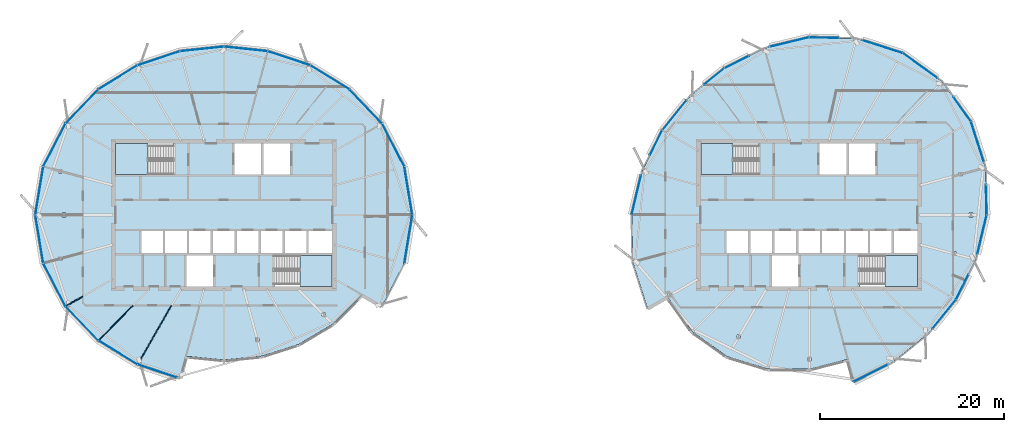
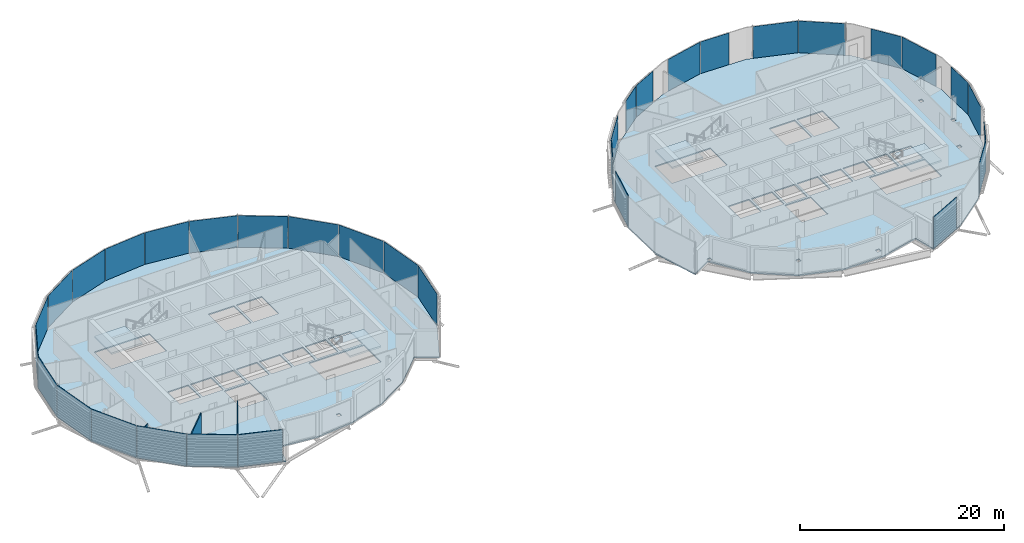
# One storey, part 16 of 33: 34 plates, 6 slabs, 3 walls, 6 elements without a shape of their own.
"""IFC4 building model written with IfcOpenShell, lengths in metres."""

from ifc_helpers import new_model, si_unit, direction, frame, frame_2d, origin, origin_2d, place, context, subcontext, project, spatial, polyline, rectangle, outline, extrude, material, layer, layer_set, type_object, element, aggregate, save


model = new_model("IFC4")

# Units and contexts
model_context = context("Model", 3, precision=1e-05, world=origin(), true_north=direction((0.0, 1.0)))
body_context = subcontext(model_context, "Body", "Model", "MODEL_VIEW")
ifc_project = project(units=[si_unit("LENGTHUNIT", "METRE"), si_unit("AREAUNIT", "SQUARE_METRE"), si_unit("VOLUMEUNIT", "CUBIC_METRE"), si_unit("PLANEANGLEUNIT", "RADIAN"), si_unit("MASSUNIT", "GRAM", prefix="KILO")], contexts=[model_context])

# Site, building, storey
site_placement = place(None, origin())
site = spatial("IfcSite", under=ifc_project, at=site_placement, CompositionType="ELEMENT")
building_placement = place(site_placement, origin())
building = spatial("IfcBuilding", under=site, at=building_placement, Name="Rimbun Link Towers", CompositionType="ELEMENT")
storey_placement = place(building_placement, frame((0.0, 0.0, 240.89990234375)))
storey = spatial("IfcBuildingStorey", under=building, at=storey_placement, Name="L59", CompositionType="ELEMENT", Elevation=240.89990234375)

# Slabs
ifc_material_1 = material(Name="Concrete C35/45", Category="concrete")
ifc_layer_1 = layer(ifc_material_1, 0.139892578125)
ifc_layer_set_1 = layer_set([ifc_layer_1], Name="COMPOSITE FLOOR 140")
slab_type_1 = type_object("IfcSlabType", Name="COMPOSITE FLOOR 140", PredefinedType="FLOOR", material=ifc_layer_set_1)
slab_1_placement = place(storey_placement, frame((0.0, 0.0, -0.139892578125)))
element("IfcSlab", 1, at=slab_1_placement, inside=storey, type_object=slab_type_1, Name="Floor slab T1 L59", PredefinedType="FLOOR", context=body_context, shape_type="SweptSolid", body=[
    extrude(outline(polyline([(-41.108642578125, -16.209716796875), (-45.353515625, -13.603515625), (-48.901611328125, -9.902587890625), (-51.313232421875, -5.241943359375), (-52.17529296875, 0.0), (-51.313232421875, 5.241943359375), (-48.901611328125, 9.902587890625), (-45.353515625, 13.603515625), (-41.108642578125, 16.209716796875), (-36.50244140625, 17.736328125), (-31.75, 18.23681640625), (-26.99755859375, 17.736328125), (-22.391357421875, 16.209716796875), (-18.146484375, 13.603515625), (-14.598388671875, 9.902587890625), (-12.186767578125, 5.241943359375), (-11.32470703125, 0.0), (-12.186767578125, -5.241943359375), (-14.598388671875, -9.902587890625), (-16.76318359375, -8.652587890625), (-19.914306640625, -11.835693359375), (-23.641357421875, -14.044677734375), (-27.64453125, -15.321533203125), (-31.75, -15.73681640625), (-35.85546875, -15.321533203125), (-36.50244140625, -17.736328125), (-41.108642578125, -16.209716796875)]), holes=[polyline([(-32.89990234375, -7.75), (-32.89990234375, -4.39990234375), (-35.800048828125, -4.39990234375), (-35.800048828125, -7.75), (-32.89990234375, -7.75)]), polyline([(-49.2958984375, -4.95166015625), (-49.2958984375, -4.55810546875), (-49.69482421875, -4.55810546875), (-49.69482421875, -4.95166015625), (-49.2958984375, -4.95166015625)]), polyline([(-38.361083984375, -4.14990234375), (-38.361083984375, -1.75), (-40.70556640625, -1.75), (-40.70556640625, -4.14990234375), (-38.361083984375, -4.14990234375)]), polyline([(-35.7666015625, -4.14990234375), (-35.7666015625, -1.75), (-38.111083984375, -1.75), (-38.111083984375, -4.14990234375), (-35.7666015625, -4.14990234375)]), polyline([(-33.172119140625, -4.14990234375), (-33.172119140625, -1.75), (-35.5166015625, -1.75), (-35.5166015625, -4.14990234375), (-33.172119140625, -4.14990234375)]), polyline([(-30.577880859375, -4.14990234375), (-30.577880859375, -1.75), (-32.922119140625, -1.75), (-32.922119140625, -4.14990234375), (-30.577880859375, -4.14990234375)]), polyline([(-48.897216796875, -0.19677734375), (-48.897216796875, 0.19677734375), (-49.296142578125, 0.19677734375), (-49.296142578125, -0.19677734375), (-48.897216796875, -0.19677734375)]), polyline([(-49.69482421875, 4.55810546875), (-49.2958984375, 4.55810546875), (-49.2958984375, 4.95166015625), (-49.69482421875, 4.95166015625), (-49.69482421875, 4.55810546875)]), polyline([(-43.5, 4.39990234375), (-37.260009765625, 4.39990234375), (-37.260009765625, 7.75), (-43.5, 7.75), (-43.5, 4.39990234375)]), polyline([(-27.9228515625, -13.735107421875), (-27.9228515625, -13.34130859375), (-28.322021484375, -13.34130859375), (-28.322021484375, -13.735107421875), (-27.9228515625, -13.735107421875)]), polyline([(-20.705810546875, -11.04150390625), (-20.705810546875, -10.647705078125), (-21.10498046875, -10.647705078125), (-21.10498046875, -11.04150390625), (-20.705810546875, -11.04150390625)]), polyline([(-20.0, -7.75), (-20.0, -4.39990234375), (-26.239990234375, -4.39990234375), (-26.239990234375, -7.75), (-20.0, -7.75)]), polyline([(-27.9833984375, -4.14990234375), (-27.9833984375, -1.75), (-30.327880859375, -1.75), (-30.327880859375, -4.14990234375), (-27.9833984375, -4.14990234375)]), polyline([(-25.388916015625, -4.14990234375), (-25.388916015625, -1.75), (-27.7333984375, -1.75), (-27.7333984375, -4.14990234375), (-25.388916015625, -4.14990234375)]), polyline([(-22.79443359375, -4.14990234375), (-22.79443359375, -1.75), (-25.138916015625, -1.75), (-25.138916015625, -4.14990234375), (-22.79443359375, -4.14990234375)]), polyline([(-20.0, -4.14990234375), (-20.0, -1.75), (-22.54443359375, -1.75), (-22.54443359375, -4.14990234375), (-20.0, -4.14990234375)]), polyline([(-30.60009765625, 4.39990234375), (-27.699951171875, 4.39990234375), (-27.699951171875, 7.75), (-30.60009765625, 7.75), (-30.60009765625, 4.39990234375)]), polyline([(-27.449951171875, 4.39990234375), (-24.550048828125, 4.39990234375), (-24.550048828125, 7.75), (-27.449951171875, 7.75), (-27.449951171875, 4.39990234375)])]), origin(), (0.0, 0.0, 1.0), 0.139892578125),
])
slab_2_placement = place(storey_placement, frame((0.0, 0.0, -0.139892578125)))
element("IfcSlab", 2, at=slab_2_placement, inside=storey, type_object=slab_type_1, Name="Floor slab T2 L59", PredefinedType="FLOOR", context=body_context, shape_type="SweptSolid", body=[
    extrude(outline(polyline([(12.61962890625, -5.1259765625), (12.51171875, 0.0), (13.67041015625, 4.844482421875), (15.84814453125, 9.180908203125), (18.8544921875, 12.8955078125), (22.569091796875, 15.90185546875), (26.905517578125, 18.07958984375), (31.75, 19.23828125), (36.8759765625, 19.13037109375), (41.876708984375, 17.539794921875), (46.19287109375, 14.44287109375), (49.289794921875, 10.126708984375), (50.88037109375, 5.1259765625), (50.98828125, 0.0), (49.82958984375, -4.844482421875), (47.65185546875, -9.180908203125), (44.6455078125, -12.8955078125), (40.930908203125, -15.90185546875), (36.594482421875, -18.07958984375), (35.947509765625, -15.664794921875), (31.75, -16.73828125), (27.27099609375, -16.71533203125), (22.873291015625, -15.375), (19.074951171875, -12.675048828125), (16.375, -8.876708984375), (14.210205078125, -10.126708984375), (12.61962890625, -5.1259765625)]), holes=[polyline([(31.949462890625, -15.85009765625), (31.949462890625, -15.456298828125), (31.550537109375, -15.456298828125), (31.550537109375, -15.85009765625), (31.949462890625, -15.85009765625)]), polyline([(24.31298828125, -13.423828125), (24.31298828125, -13.0302734375), (23.913818359375, -13.0302734375), (23.913818359375, -13.423828125), (24.31298828125, -13.423828125)]), polyline([(16.84619140625, -8.916748046875), (16.84619140625, -8.523193359375), (16.447021484375, -8.523193359375), (16.447021484375, -8.916748046875), (16.84619140625, -8.916748046875)]), polyline([(30.60009765625, -7.75), (30.60009765625, -4.39990234375), (27.699951171875, -4.39990234375), (27.699951171875, -7.75), (30.60009765625, -7.75)]), polyline([(25.138916015625, -4.14990234375), (25.138916015625, -1.75), (22.79443359375, -1.75), (22.79443359375, -4.14990234375), (25.138916015625, -4.14990234375)]), polyline([(27.7333984375, -4.14990234375), (27.7333984375, -1.75), (25.388916015625, -1.75), (25.388916015625, -4.14990234375), (27.7333984375, -4.14990234375)]), polyline([(30.327880859375, -4.14990234375), (30.327880859375, -1.75), (27.9833984375, -1.75), (27.9833984375, -4.14990234375), (30.327880859375, -4.14990234375)]), polyline([(30.577880859375, -4.14990234375), (32.922119140625, -4.14990234375), (32.922119140625, -1.75), (30.577880859375, -1.75), (30.577880859375, -4.14990234375)]), polyline([(33.172119140625, -4.14990234375), (35.5166015625, -4.14990234375), (35.5166015625, -1.75), (33.172119140625, -1.75), (33.172119140625, -4.14990234375)]), polyline([(26.239990234375, 4.39990234375), (26.239990234375, 7.75), (20.0, 7.75), (20.0, 4.39990234375), (26.239990234375, 4.39990234375)]), polyline([(43.5, -7.75), (43.5, -4.39990234375), (37.260009765625, -4.39990234375), (37.260009765625, -7.75), (43.5, -7.75)]), polyline([(47.71923828125, -4.42236328125), (47.71923828125, -4.02880859375), (47.3203125, -4.02880859375), (47.3203125, -4.42236328125), (47.71923828125, -4.42236328125)]), polyline([(35.7666015625, -4.14990234375), (38.111083984375, -4.14990234375), (38.111083984375, -1.75), (35.7666015625, -1.75), (35.7666015625, -4.14990234375)]), polyline([(38.361083984375, -4.14990234375), (40.70556640625, -4.14990234375), (40.70556640625, -1.75), (38.361083984375, -1.75), (38.361083984375, -4.14990234375)]), polyline([(43.5, -4.14990234375), (43.5, -1.75), (40.95556640625, -1.75), (40.95556640625, -4.14990234375), (43.5, -4.14990234375)]), polyline([(49.510498046875, -0.19677734375), (49.510498046875, 0.19677734375), (49.111328125, 0.19677734375), (49.111328125, -0.19677734375), (49.510498046875, -0.19677734375)]), polyline([(48.410888671875, 4.214111328125), (48.410888671875, 4.607666015625), (48.011962890625, 4.607666015625), (48.011962890625, 4.214111328125), (48.410888671875, 4.214111328125)]), polyline([(32.89990234375, 4.39990234375), (35.800048828125, 4.39990234375), (35.800048828125, 7.75), (32.89990234375, 7.75), (32.89990234375, 4.39990234375)]), polyline([(36.050048828125, 4.39990234375), (38.949951171875, 4.39990234375), (38.949951171875, 7.75), (36.050048828125, 7.75), (36.050048828125, 4.39990234375)])]), origin(), (0.0, 0.0, 1.0), 0.139892578125),
])

# Curtain wall, plates
ifc_material_2 = material(Name="Aluminium 6063-T6 and low-iron glass", Category="aluminium")
curtain_wall_type = type_object("IfcCurtainWallType", Name="CW1-Z4 unitised vision wall (zone 4)", PredefinedType="NOTDEFINED", material=ifc_material_2)
curtain_wall_1_placement = place(storey_placement, origin())
curtain_wall_1 = element("IfcCurtainWall", 3, at=curtain_wall_1_placement, inside=storey, type_object=curtain_wall_type, Name="CW1 L59 T1", PredefinedType="NOTDEFINED")
ifc_material_3 = material(Name="Low-iron glass, laminated low-e unit", Category="glass")
ifc_layer_2 = layer(ifc_material_3, 0.028076171875)
ifc_layer_set_2 = layer_set([ifc_layer_2], Name="CW1 panel Low-iron glass 28")
plate_type = type_object("IfcPlateType", Name="CW1 panel Low-iron glass 28", PredefinedType="CURTAIN_PANEL", material=ifc_layer_set_2)
plate_1_placement = place(storey_placement, frame((-11.741943359375, 2.623291015625, 0.0), z_axis=(0.0, 0.0, 1.0), x_axis=(0.162261836936, -0.986747736898, 0.0)))
plate_1 = element("IfcPlate", 4, at=plate_1_placement, type_object=plate_type, Name="CW1 panel", PredefinedType="CURTAIN_PANEL", context=body_context, shape_type="SweptSolid", body=[
    extrude(rectangle(XDim=5.2724609375, YDim=0.028076171875, at=origin_2d()), origin(), (0.0, 0.0, 1.0), 3.800048828125),
])
plate_2_placement = place(storey_placement, frame((-13.380126953125, 7.57861328125, 0.0), z_axis=(0.0, 0.0, 1.0), x_axis=(0.459549928391, -0.888151937067, 0.0)))
plate_2 = element("IfcPlate", 5, at=plate_2_placement, type_object=plate_type, Name="CW1 panel", PredefinedType="CURTAIN_PANEL", context=body_context, shape_type="SweptSolid", body=[
    extrude(rectangle(XDim=5.20751953125, YDim=0.028076171875, at=origin_2d()), origin(), (0.0, 0.0, 1.0), 3.800048828125),
])
plate_3_placement = place(storey_placement, frame((-16.3623046875, 11.7626953125, 0.0), z_axis=(0.0, 0.0, 1.0), x_axis=(0.692058277025, -0.721841631662, 0.0)))
plate_3 = element("IfcPlate", 6, at=plate_3_placement, type_object=plate_type, Name="CW1 panel", PredefinedType="CURTAIN_PANEL", context=body_context, shape_type="SweptSolid", body=[
    extrude(rectangle(XDim=5.0869140625, YDim=0.028076171875, at=origin_2d()), origin(), (0.0, 0.0, 1.0), 3.800048828125),
])
plate_4_placement = place(storey_placement, frame((-20.261474609375, 14.918701171875, 0.0), z_axis=(0.0, 0.0, 1.0), x_axis=(0.852185203214, -0.523240269306, 0.0)))
plate_4 = element("IfcPlate", 7, at=plate_4_placement, type_object=plate_type, Name="CW1 panel", PredefinedType="CURTAIN_PANEL", context=body_context, shape_type="SweptSolid", body=[
    extrude(rectangle(XDim=4.941162109375, YDim=0.028076171875, at=origin_2d()), origin(), (0.0, 0.0, 1.0), 3.800048828125),
])
plate_5_placement = place(storey_placement, frame((-24.68994140625, 16.986328125, 0.0), z_axis=(0.0, 0.0, 1.0), x_axis=(0.949234126945, -0.314570456722, 0.0)))
plate_5 = element("IfcPlate", 8, at=plate_5_placement, type_object=plate_type, Name="CW1 panel", PredefinedType="CURTAIN_PANEL", context=body_context, shape_type="SweptSolid", body=[
    extrude(rectangle(XDim=4.812744140625, YDim=0.028076171875, at=origin_2d()), origin(), (0.0, 0.0, 1.0), 3.800048828125),
])
plate_6_placement = place(storey_placement, frame((-29.372314453125, 18.00048828125, 0.0), z_axis=(0.0, 0.0, 1.0), x_axis=(0.994500062373, -0.104735982072, 0.0)))
plate_6 = element("IfcPlate", 9, at=plate_6_placement, type_object=plate_type, Name="CW1 panel", PredefinedType="CURTAIN_PANEL", context=body_context, shape_type="SweptSolid", body=[
    extrude(rectangle(XDim=4.73876953125, YDim=0.028076171875, at=origin_2d()), origin(), (0.0, 0.0, 1.0), 3.800048828125),
])
plate_7_placement = place(storey_placement, frame((-34.127685546875, 18.00048828125, 0.0), z_axis=(0.0, 0.0, 1.0), x_axis=(0.994500062373, 0.104735982072, 0.0)))
plate_7 = element("IfcPlate", 10, at=plate_7_placement, type_object=plate_type, Name="CW1 panel", PredefinedType="CURTAIN_PANEL", context=body_context, shape_type="SweptSolid", body=[
    extrude(rectangle(XDim=4.73876953125, YDim=0.028076171875, at=origin_2d()), origin(), (0.0, 0.0, 1.0), 3.800048828125),
])
plate_8_placement = place(storey_placement, frame((-38.81005859375, 16.986328125, 0.0), z_axis=(0.0, 0.0, 1.0), x_axis=(0.949234126945, 0.314570456722, 0.0)))
plate_8 = element("IfcPlate", 11, at=plate_8_placement, type_object=plate_type, Name="CW1 panel", PredefinedType="CURTAIN_PANEL", context=body_context, shape_type="SweptSolid", body=[
    extrude(rectangle(XDim=4.812744140625, YDim=0.028076171875, at=origin_2d()), origin(), (0.0, 0.0, 1.0), 3.800048828125),
])
plate_9_placement = place(storey_placement, frame((-43.238525390625, 14.918701171875, 0.0), z_axis=(0.0, 0.0, 1.0), x_axis=(0.852185203214, 0.523240269306, 0.0)))
plate_9 = element("IfcPlate", 12, at=plate_9_placement, type_object=plate_type, Name="CW1 panel", PredefinedType="CURTAIN_PANEL", context=body_context, shape_type="SweptSolid", body=[
    extrude(rectangle(XDim=4.941162109375, YDim=0.028076171875, at=origin_2d()), origin(), (0.0, 0.0, 1.0), 3.800048828125),
])
plate_10_placement = place(storey_placement, frame((-47.1376953125, 11.7626953125, 0.0), z_axis=(0.0, 0.0, 1.0), x_axis=(0.692058277025, 0.721841631662, 0.0)))
plate_10 = element("IfcPlate", 13, at=plate_10_placement, type_object=plate_type, Name="CW1 panel", PredefinedType="CURTAIN_PANEL", context=body_context, shape_type="SweptSolid", body=[
    extrude(rectangle(XDim=5.0869140625, YDim=0.028076171875, at=origin_2d()), origin(), (0.0, 0.0, 1.0), 3.800048828125),
])
plate_11_placement = place(storey_placement, frame((-50.119873046875, 7.57861328125, 0.0), z_axis=(0.0, 0.0, 1.0), x_axis=(0.459549928391, 0.888151937067, 0.0)))
plate_11 = element("IfcPlate", 14, at=plate_11_placement, type_object=plate_type, Name="CW1 panel", PredefinedType="CURTAIN_PANEL", context=body_context, shape_type="SweptSolid", body=[
    extrude(rectangle(XDim=5.20751953125, YDim=0.028076171875, at=origin_2d()), origin(), (0.0, 0.0, 1.0), 3.800048828125),
])
plate_12_placement = place(storey_placement, frame((-51.758056640625, 2.623291015625, 0.0), z_axis=(0.0, 0.0, 1.0), x_axis=(0.162261836936, 0.986747736898, 0.0)))
plate_12 = element("IfcPlate", 15, at=plate_12_placement, type_object=plate_type, Name="CW1 panel", PredefinedType="CURTAIN_PANEL", context=body_context, shape_type="SweptSolid", body=[
    extrude(rectangle(XDim=5.2724609375, YDim=0.028076171875, at=origin_2d()), origin(), (0.0, 0.0, 1.0), 3.800048828125),
])
plate_13_placement = place(storey_placement, frame((-51.758056640625, -2.623291015625, 0.0), z_axis=(0.0, 0.0, 1.0), x_axis=(-0.162261836936, 0.986747736898, 0.0)))
plate_13 = element("IfcPlate", 16, at=plate_13_placement, type_object=plate_type, Name="CW1 panel", PredefinedType="CURTAIN_PANEL", context=body_context, shape_type="SweptSolid", body=[
    extrude(rectangle(XDim=5.2724609375, YDim=0.028076171875, at=origin_2d()), origin(), (0.0, 0.0, 1.0), 3.800048828125),
])
plate_14_placement = place(storey_placement, frame((-50.119873046875, -7.57861328125, 0.0), z_axis=(0.0, 0.0, 1.0), x_axis=(-0.459549928391, 0.888151937067, 0.0)))
plate_14 = element("IfcPlate", 17, at=plate_14_placement, type_object=plate_type, Name="CW1 panel", PredefinedType="CURTAIN_PANEL", context=body_context, shape_type="SweptSolid", body=[
    extrude(rectangle(XDim=5.20751953125, YDim=0.028076171875, at=origin_2d()), origin(), (0.0, 0.0, 1.0), 3.800048828125),
])
plate_15_placement = place(storey_placement, frame((-47.1376953125, -11.7626953125, 0.0), z_axis=(0.0, 0.0, 1.0), x_axis=(-0.692058277025, 0.721841631662, 0.0)))
plate_15 = element("IfcPlate", 18, at=plate_15_placement, type_object=plate_type, Name="CW1 panel", PredefinedType="CURTAIN_PANEL", context=body_context, shape_type="SweptSolid", body=[
    extrude(rectangle(XDim=5.0869140625, YDim=0.028076171875, at=origin_2d()), origin(), (0.0, 0.0, 1.0), 3.800048828125),
])
plate_16_placement = place(storey_placement, frame((-43.238525390625, -14.918701171875, 0.0), z_axis=(0.0, 0.0, 1.0), x_axis=(-0.852185203214, 0.523240269306, 0.0)))
plate_16 = element("IfcPlate", 19, at=plate_16_placement, type_object=plate_type, Name="CW1 panel", PredefinedType="CURTAIN_PANEL", context=body_context, shape_type="SweptSolid", body=[
    extrude(rectangle(XDim=4.941162109375, YDim=0.028076171875, at=origin_2d()), origin(), (0.0, 0.0, 1.0), 3.800048828125),
])
plate_17_placement = place(storey_placement, frame((-38.97607421875, -16.931396484375, 0.0), z_axis=(0.0, 0.0, 1.0), x_axis=(-0.949234126945, 0.314570456722, 0.0)))
plate_17 = element("IfcPlate", 20, at=plate_17_placement, type_object=plate_type, Name="CW1 panel", PredefinedType="CURTAIN_PANEL", context=body_context, shape_type="SweptSolid", body=[
    extrude(rectangle(XDim=4.462646484375, YDim=0.028076171875, at=origin_2d()), origin(), (0.0, 0.0, 1.0), 3.800048828125),
])
plate_18_placement = place(storey_placement, frame((-11.741943359375, -2.623291015625, 0.0), z_axis=(0.0, 0.0, 1.0), x_axis=(-0.162261836936, -0.986747736898, 0.0)))
plate_18 = element("IfcPlate", 21, at=plate_18_placement, type_object=plate_type, Name="CW1 panel", PredefinedType="CURTAIN_PANEL", context=body_context, shape_type="SweptSolid", body=[
    extrude(rectangle(XDim=5.2724609375, YDim=0.028076171875, at=origin_2d()), origin(), (0.0, 0.0, 1.0), 3.800048828125),
])
aggregate(curtain_wall_1, [plate_1, plate_2, plate_3, plate_4, plate_5, plate_6, plate_7, plate_8, plate_9, plate_10, plate_11, plate_12, plate_13, plate_14, plate_15, plate_16, plate_17, plate_18])

curtain_wall_2_placement = place(storey_placement, origin())
curtain_wall_2 = element("IfcCurtainWall", 22, at=curtain_wall_2_placement, inside=storey, type_object=curtain_wall_type, Name="CW1 L59 T2", PredefinedType="NOTDEFINED")
plate_19_placement = place(storey_placement, frame((43.77880859375, 16.192138671875, 0.0), z_axis=(0.0, 0.0, 1.0), x_axis=(0.812469826089, -0.583003243297, 0.0)))
plate_19 = element("IfcPlate", 23, at=plate_19_placement, type_object=plate_type, Name="CW1 panel", PredefinedType="CURTAIN_PANEL", context=body_context, shape_type="SweptSolid", body=[
    extrude(rectangle(XDim=4.622314453125, YDim=0.028076171875, at=origin_2d()), origin(), (0.0, 0.0, 1.0), 3.800048828125),
])
plate_20_placement = place(storey_placement, frame((39.690185546875, 18.25, 0.0), z_axis=(0.0, 0.0, 1.0), x_axis=(0.952967816288, -0.303071511559, 0.0)))
plate_20 = element("IfcPlate", 24, at=plate_20_placement, type_object=plate_type, Name="CW1 panel", PredefinedType="CURTAIN_PANEL", context=body_context, shape_type="SweptSolid", body=[
    extrude(rectangle(XDim=4.5576171875, YDim=0.028076171875, at=origin_2d()), origin(), (0.0, 0.0, 1.0), 3.800048828125),
])
plate_21_placement = place(storey_placement, frame((33.363525390625, 19.21826171875, 0.0), z_axis=(0.0, 0.0, 1.0), x_axis=(0.999778112574, -0.021064795684, 0.0)))
plate_21 = element("IfcPlate", 25, at=plate_21_placement, type_object=plate_type, Name="CW1 panel", PredefinedType="CURTAIN_PANEL", context=body_context, shape_type="SweptSolid", body=[
    extrude(rectangle(XDim=3.18701171875, YDim=0.028076171875, at=origin_2d()), origin(), (0.0, 0.0, 1.0), 3.800048828125),
])
plate_22_placement = place(storey_placement, frame((29.6162109375, 18.742431640625, 0.0), z_axis=(0.0, 0.0, 1.0), x_axis=(0.972571783307, 0.23260293703, 0.0)))
plate_22 = element("IfcPlate", 26, at=plate_22_placement, type_object=plate_type, Name="CW1 panel", PredefinedType="CURTAIN_PANEL", context=body_context, shape_type="SweptSolid", body=[
    extrude(rectangle(XDim=4.341064453125, YDim=0.028076171875, at=origin_2d()), origin(), (0.0, 0.0, 1.0), 3.800048828125),
])
plate_23_placement = place(storey_placement, frame((23.904296875, 16.588134765625, 0.0), z_axis=(0.0, 0.0, 1.0), x_axis=(0.893642754219, 0.448779041213, 0.0)))
plate_23 = element("IfcPlate", 27, at=plate_23_placement, type_object=plate_type, Name="CW1 panel", PredefinedType="CURTAIN_PANEL", context=body_context, shape_type="SweptSolid", body=[
    extrude(rectangle(XDim=2.962646484375, YDim=0.028076171875, at=origin_2d()), origin(), (0.0, 0.0, 1.0), 3.800048828125),
])
plate_24_placement = place(storey_placement, frame((21.4609375, 15.02294921875, 0.0), z_axis=(0.0, 0.0, 1.0), x_axis=(0.777285317003, 0.629148262313, 0.0)))
plate_24 = element("IfcPlate", 28, at=plate_24_placement, type_object=plate_type, Name="CW1 panel", PredefinedType="CURTAIN_PANEL", context=body_context, shape_type="SweptSolid", body=[
    extrude(rectangle(XDim=2.78857421875, YDim=0.028076171875, at=origin_2d()), origin(), (0.0, 0.0, 1.0), 3.800048828125),
])
plate_25_placement = place(storey_placement, frame((17.151611328125, 10.813720703125, 0.0), z_axis=(0.0, 0.0, 1.0), x_axis=(0.629148262313, 0.777285317003, 0.0)))
plate_25 = element("IfcPlate", 29, at=plate_25_placement, type_object=plate_type, Name="CW1 panel", PredefinedType="CURTAIN_PANEL", context=body_context, shape_type="SweptSolid", body=[
    extrude(rectangle(XDim=4.138671875, YDim=0.028076171875, at=origin_2d()), origin(), (0.0, 0.0, 1.0), 3.800048828125),
])
plate_26_placement = place(storey_placement, frame((15.150634765625, 7.8232421875, 0.0), z_axis=(0.0, 0.0, 1.0), x_axis=(0.448779041213, 0.893642754219, 0.0)))
plate_26 = element("IfcPlate", 30, at=plate_26_placement, type_object=plate_type, Name="CW1 panel", PredefinedType="CURTAIN_PANEL", context=body_context, shape_type="SweptSolid", body=[
    extrude(rectangle(XDim=3.0126953125, YDim=0.028076171875, at=origin_2d()), origin(), (0.0, 0.0, 1.0), 3.800048828125),
])
plate_27_placement = place(storey_placement, frame((13.013427734375, 2.157958984375, 0.0), z_axis=(0.0, 0.0, 1.0), x_axis=(0.23260293703, 0.972571783307, 0.0)))
plate_27 = element("IfcPlate", 31, at=plate_27_placement, type_object=plate_type, Name="CW1 panel", PredefinedType="CURTAIN_PANEL", context=body_context, shape_type="SweptSolid", body=[
    extrude(rectangle(XDim=4.39111328125, YDim=0.028076171875, at=origin_2d()), origin(), (0.0, 0.0, 1.0), 3.800048828125),
])
plate_28_placement = place(storey_placement, frame((38.433837890625, -17.171630859375, 0.0), z_axis=(0.0, 0.0, 1.0), x_axis=(-0.893642754219, -0.448779041213, 0.0)))
plate_28 = element("IfcPlate", 32, at=plate_28_placement, type_object=plate_type, Name="CW1 panel", PredefinedType="CURTAIN_PANEL", context=body_context, shape_type="SweptSolid", body=[
    extrude(rectangle(XDim=4.062744140625, YDim=0.028076171875, at=origin_2d()), origin(), (0.0, 0.0, 1.0), 3.800048828125),
])
plate_29_placement = place(storey_placement, frame((46.379638671875, -10.77490234375, 0.0), z_axis=(0.0, 0.0, 1.0), x_axis=(-0.629148262313, -0.777285317003, 0.0)))
plate_29 = element("IfcPlate", 33, at=plate_29_placement, type_object=plate_type, Name="CW1 panel", PredefinedType="CURTAIN_PANEL", context=body_context, shape_type="SweptSolid", body=[
    extrude(rectangle(XDim=4.03857421875, YDim=0.028076171875, at=origin_2d()), origin(), (0.0, 0.0, 1.0), 3.800048828125),
])
plate_30_placement = place(storey_placement, frame((48.349365234375, -7.8232421875, 0.0), z_axis=(0.0, 0.0, 1.0), x_axis=(-0.448779041213, -0.893642754219, 0.0)))
plate_30 = element("IfcPlate", 34, at=plate_30_placement, type_object=plate_type, Name="CW1 panel", PredefinedType="CURTAIN_PANEL", context=body_context, shape_type="SweptSolid", body=[
    extrude(rectangle(XDim=3.0126953125, YDim=0.028076171875, at=origin_2d()), origin(), (0.0, 0.0, 1.0), 3.800048828125),
])
plate_31_placement = place(storey_placement, frame((50.498291015625, -2.109375, 0.0), z_axis=(0.0, 0.0, 1.0), x_axis=(-0.23260293703, -0.972571783307, 0.0)))
plate_31 = element("IfcPlate", 35, at=plate_31_placement, type_object=plate_type, Name="CW1 panel", PredefinedType="CURTAIN_PANEL", context=body_context, shape_type="SweptSolid", body=[
    extrude(rectangle(XDim=4.291015625, YDim=0.028076171875, at=origin_2d()), origin(), (0.0, 0.0, 1.0), 3.800048828125),
])
plate_32_placement = place(storey_placement, frame((50.9677734375, 1.638427734375, 0.0), z_axis=(0.0, 0.0, 1.0), x_axis=(0.021064795684, -0.999778112574, 0.0)))
plate_32 = element("IfcPlate", 36, at=plate_32_placement, type_object=plate_type, Name="CW1 panel", PredefinedType="CURTAIN_PANEL", context=body_context, shape_type="SweptSolid", body=[
    extrude(rectangle(XDim=3.237060546875, YDim=0.028076171875, at=origin_2d()), origin(), (0.0, 0.0, 1.0), 3.800048828125),
])
plate_33_placement = place(storey_placement, frame((50.0, 7.940185546875, 0.0), z_axis=(0.0, 0.0, 1.0), x_axis=(0.303071511559, -0.952967816288, 0.0)))
plate_33 = element("IfcPlate", 37, at=plate_33_placement, type_object=plate_type, Name="CW1 panel", PredefinedType="CURTAIN_PANEL", context=body_context, shape_type="SweptSolid", body=[
    extrude(rectangle(XDim=4.5576171875, YDim=0.028076171875, at=origin_2d()), origin(), (0.0, 0.0, 1.0), 3.800048828125),
])
plate_34_placement = place(storey_placement, frame((48.335693359375, 11.48046875, 0.0), z_axis=(0.0, 0.0, 1.0), x_axis=(0.583003243297, -0.812469826089, 0.0)))
plate_34 = element("IfcPlate", 38, at=plate_34_placement, type_object=plate_type, Name="CW1 panel", PredefinedType="CURTAIN_PANEL", context=body_context, shape_type="SweptSolid", body=[
    extrude(rectangle(XDim=3.272216796875, YDim=0.028076171875, at=origin_2d()), origin(), (0.0, 0.0, 1.0), 3.800048828125),
])
aggregate(curtain_wall_2, [plate_19, plate_20, plate_21, plate_22, plate_23, plate_24, plate_25, plate_26, plate_27, plate_28, plate_29, plate_30, plate_31, plate_32, plate_33, plate_34])

# Stair, slab
ifc_material_4 = material(Name="Concrete C40/50", Category="concrete")
stair_type = type_object("IfcStairType", Name="Exit stair 3800 rise", PredefinedType="HALF_TURN_STAIR", material=ifc_material_4)
stair_1_placement = place(storey_placement, origin())
stair_1 = element("IfcStair", 39, at=stair_1_placement, inside=storey, type_object=stair_type, Name="L59 EXIT STAIR A", PredefinedType="HALF_TURN_STAIR")
ifc_material_5 = material(Name="Concrete C40/50", Category="concrete")
ifc_layer_3 = layer(ifc_material_5, 0.199951171875)
ifc_layer_set_3 = layer_set([ifc_layer_3], Name="Stair landing")
slab_type_2 = type_object("IfcSlabType", Name="Stair landing", PredefinedType="LANDING", material=ifc_layer_set_3)
slab_3_placement = place(storey_placement, frame((0.0, 0.0, 1.7001953125)))
slab_3 = element("IfcSlab", 40, at=slab_3_placement, type_object=slab_type_2, Name="ST1 landing 1", PredefinedType="LANDING", context=body_context, shape_type="SweptSolid", body=[
    extrude(outline(polyline([(-40.0, 7.75), (-43.5, 7.75), (-43.5, 4.39990234375), (-40.0, 4.39990234375), (-40.0, 7.75)])), origin(), (0.0, 0.0, 1.0), 0.199951171875),
])
aggregate(stair_1, [slab_3])

stair_2_placement = place(storey_placement, origin())
stair_2 = element("IfcStair", 41, at=stair_2_placement, inside=storey, type_object=stair_type, Name="L59 EXIT STAIR B", PredefinedType="HALF_TURN_STAIR")
slab_4_placement = place(storey_placement, frame((0.0, 0.0, 1.7001953125)))
slab_4 = element("IfcSlab", 42, at=slab_4_placement, type_object=slab_type_2, Name="ST2 landing 1", PredefinedType="LANDING", context=body_context, shape_type="SweptSolid", body=[
    extrude(outline(polyline([(-23.5, -7.75), (-20.0, -7.75), (-20.0, -4.39990234375), (-23.5, -4.39990234375), (-23.5, -7.75)])), origin(), (0.0, 0.0, 1.0), 0.199951171875),
])
aggregate(stair_2, [slab_4])

stair_3_placement = place(storey_placement, origin())
stair_3 = element("IfcStair", 43, at=stair_3_placement, inside=storey, type_object=stair_type, Name="L59 EXIT STAIR A", PredefinedType="HALF_TURN_STAIR")
slab_5_placement = place(storey_placement, frame((0.0, 0.0, 1.7001953125)))
slab_5 = element("IfcSlab", 44, at=slab_5_placement, type_object=slab_type_2, Name="ST3 landing 1", PredefinedType="LANDING", context=body_context, shape_type="SweptSolid", body=[
    extrude(outline(polyline([(23.5, 7.75), (20.0, 7.75), (20.0, 4.39990234375), (23.5, 4.39990234375), (23.5, 7.75)])), origin(), (0.0, 0.0, 1.0), 0.199951171875),
])
aggregate(stair_3, [slab_5])

stair_4_placement = place(storey_placement, origin())
stair_4 = element("IfcStair", 45, at=stair_4_placement, inside=storey, type_object=stair_type, Name="L59 EXIT STAIR B", PredefinedType="HALF_TURN_STAIR")
slab_6_placement = place(storey_placement, frame((0.0, 0.0, 1.7001953125)))
slab_6 = element("IfcSlab", 46, at=slab_6_placement, type_object=slab_type_2, Name="ST4 landing 1", PredefinedType="LANDING", context=body_context, shape_type="SweptSolid", body=[
    extrude(outline(polyline([(40.0, -7.75), (43.5, -7.75), (43.5, -4.39990234375), (40.0, -4.39990234375), (40.0, -7.75)])), origin(), (0.0, 0.0, 1.0), 0.199951171875),
])
aggregate(stair_4, [slab_6])

# Walls
ifc_material_6 = material(Name="Plasterboard on steel stud", Category="steel")
ifc_layer_4 = layer(ifc_material_6, 0.10009765625)
ifc_layer_set_4 = layer_set([ifc_layer_4], Name="Plasterboard partition 100 mm")
wall_type = type_object("IfcWallType", Name="Plasterboard partition 100 mm", PredefinedType="PARTITIONING", material=ifc_layer_set_4)
wall_1_placement = place(storey_placement, frame((-48.901611328125, -9.902587890625, 0.0), z_axis=(0.0, 0.0, 1.0), x_axis=(0.866029242824, 0.49999335053, 0.0)))
element("IfcWall", 47, at=wall_1_placement, inside=storey, type_object=wall_type, Name="Plasterboard partition 100 mm", PredefinedType="PARTITIONING", context=body_context, shape_type="SweptSolid", body=[
    extrude(rectangle(XDim=2.13232421875, YDim=0.10009765625, at=frame_2d((1.066162109375, 0.0))), origin(), (0.0, 0.0, 1.0), 2.72216796875),
])
wall_2_placement = place(storey_placement, frame((-45.353515625, -13.603515625, 0.0), z_axis=(0.0, 0.0, 1.0), x_axis=(0.707106781187, 0.707106781187, 0.0)))
element("IfcWall", 48, at=wall_2_placement, inside=storey, type_object=wall_type, Name="Plasterboard partition 100 mm", PredefinedType="PARTITIONING", context=body_context, shape_type="SweptSolid", body=[
    extrude(rectangle(XDim=5.3154296875, YDim=0.10009765625, at=frame_2d((2.65771484375, 0.0))), origin(), (0.0, 0.0, 1.0), 2.72216796875),
])
wall_3_placement = place(storey_placement, frame((-41.108642578125, -16.209716796875, 0.0), z_axis=(0.0, 0.0, 1.0), x_axis=(0.499987006516, 0.866032905446, 0.0)))
element("IfcWall", 49, at=wall_3_placement, inside=storey, type_object=wall_type, Name="Plasterboard partition 100 mm", PredefinedType="PARTITIONING", context=body_context, shape_type="SweptSolid", body=[
    extrude(rectangle(XDim=7.349365234375, YDim=0.10009765625, at=frame_2d((3.6748046875, 0.0))), origin(), (0.0, 0.0, 1.0), 2.72216796875),
])

save(model, "model.ifc")
